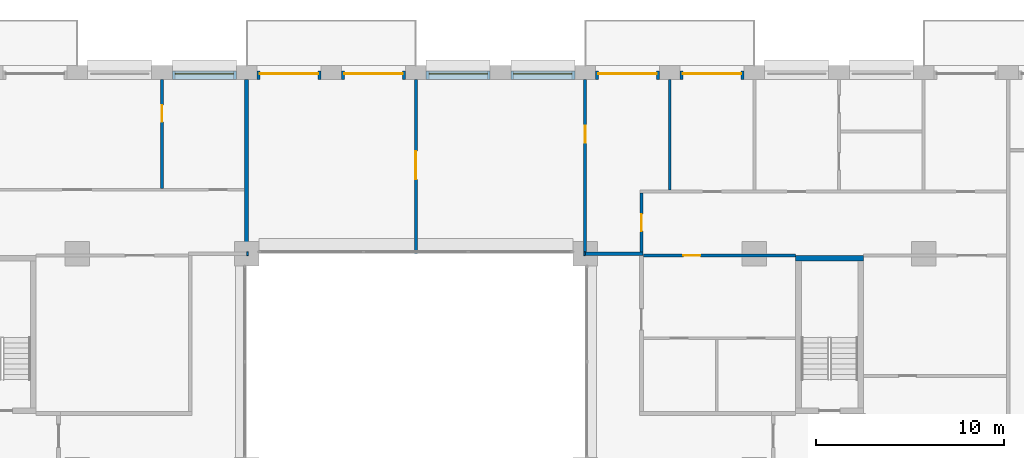
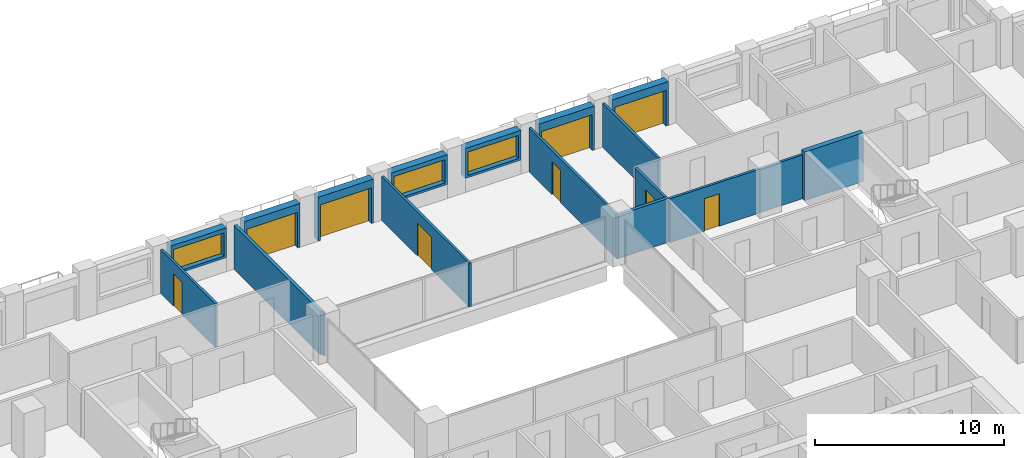
# One storey, part 13 of 16: 18 walls, 9 doors, 3 windows, 12 openings.
"""IFC4 building model written with IfcOpenShell, lengths in metres."""

from ifc_helpers import new_model, si_unit, direction, frame, frame_2d, origin, place, context, subcontext, project, spatial, rectangle, extrude, material, layer, layer_set, type_object, element, fill, save


model = new_model("IFC4")

# Units and contexts
model_context = context("Model", 3, precision=1e-05, world=origin(), true_north=direction((0.0, 1.0)))
body_context = subcontext(model_context, "Body", "Model", "MODEL_VIEW")
ifc_project = project(units=[si_unit("LENGTHUNIT", "METRE"), si_unit("AREAUNIT", "SQUARE_METRE"), si_unit("VOLUMEUNIT", "CUBIC_METRE"), si_unit("PLANEANGLEUNIT", "RADIAN"), si_unit("MASSUNIT", "GRAM", prefix="KILO")], contexts=[model_context])

# Site, building, storey
site_placement = place(None, origin())
site = spatial("IfcSite", under=ifc_project, at=site_placement, CompositionType="ELEMENT")
building_placement = place(site_placement, origin())
building = spatial("IfcBuilding", under=site, at=building_placement, Name="Brigalow Station Residences", CompositionType="ELEMENT")
storey_placement = place(building_placement, frame((0.0, 0.0, 105.60009765625)))
storey = spatial("IfcBuildingStorey", under=building, at=storey_placement, Name="L30", CompositionType="ELEMENT", Elevation=105.60009765625)

# Wall, opening, door
ifc_material_1 = material(Name="Clay brick masonry", Category="masonry")
ifc_layer_1 = layer(ifc_material_1, 0.449951171875)
ifc_layer_set_1 = layer_set([ifc_layer_1], Name="BRICK INFILL WALL 450")
wall_type_1 = type_object("IfcWallType", Name="BRICK INFILL WALL 450", PredefinedType="SOLIDWALL", material=ifc_layer_set_1)
wall_1_placement = place(storey_placement, frame((53.449951171875, 44.97509765625, 0.0), z_axis=(0.0, 0.0, 1.0), x_axis=(-1.0, 0.0, 0.0)))
wall_1 = element("IfcWall", 1, at=wall_1_placement, inside=storey, type_object=wall_type_1, Name="L30/ewall/W-L30-27", PredefinedType="SOLIDWALL", context=body_context, shape_type="SweptSolid", body=[
    extrude(rectangle(XDim=3.39990234375, YDim=0.449951171875, at=frame_2d((1.699951171875, 0.0))), origin(), (0.0, 0.0, 1.0), 2.829833984375),
])
opening_1_placement = place(wall_1_placement, frame((0.14990234375, 0.0, 0.0)))
opening_1 = element("IfcOpeningElement", 2, at=opening_1_placement, cuts=wall_1, Name="Opening D-B3100", PredefinedType="OPENING", context=body_context, shape_type="SweptSolid", body=[
    extrude(rectangle(XDim=3.10009765625, YDim=2.300048828125, at=frame_2d((1.550048828125, 1.14990234375))), frame((0.0, 0.23486328125, 0.0), z_axis=(0.0, -1.0, 0.0), x_axis=(1.0, 0.0, 0.0)), (0.0, 0.0, 1.0), 0.469970703125),
])
ifc_material_2 = material(Name="Anodised aluminium frame with double glazing", Category="aluminium")
door_type_1 = type_object("IfcDoorType", Name="BALCONY SLIDING DOOR 3100x2300", OperationType="SLIDING_TO_LEFT", PredefinedType="DOOR", material=ifc_material_2)
door_1_placement = place(opening_1_placement, origin())
door_1 = element("IfcDoor", 3, at=door_1_placement, inside=storey, type_object=door_type_1, Name="L30/balcony-door/W-L30-27", OperationType="SLIDING_TO_LEFT", OverallHeight=2.300048828125, OverallWidth=3.10009765625, PredefinedType="DOOR", context=body_context, shape_type="SweptSolid", body=[
    extrude(rectangle(XDim=3.10009765625, YDim=2.300048828125, at=frame_2d((1.550048828125, 1.14990234375))), frame((0.0, -0.06982421875, 0.0), z_axis=(0.0, -1.0, 0.0), x_axis=(1.0, 0.0, 0.0)), (0.0, 0.0, 1.0), 0.050048828125),
])
fill(opening_1, door_1)

wall_2_placement = place(storey_placement, frame((48.949951171875, 44.97509765625, 0.0), z_axis=(0.0, 0.0, 1.0), x_axis=(-1.0, 0.0, 0.0)))
wall_2 = element("IfcWall", 4, at=wall_2_placement, inside=storey, type_object=wall_type_1, Name="L30/ewall/W-L30-28", PredefinedType="SOLIDWALL", context=body_context, shape_type="SweptSolid", body=[
    extrude(rectangle(XDim=3.39990234375, YDim=0.449951171875, at=frame_2d((1.699951171875, 0.0))), origin(), (0.0, 0.0, 1.0), 2.829833984375),
])
opening_2_placement = place(wall_2_placement, frame((0.14990234375, 0.0, 0.0)))
opening_2 = element("IfcOpeningElement", 5, at=opening_2_placement, cuts=wall_2, Name="Opening D-B3100", PredefinedType="OPENING", context=body_context, shape_type="SweptSolid", body=[
    extrude(rectangle(XDim=3.10009765625, YDim=2.300048828125, at=frame_2d((1.550048828125, 1.14990234375))), frame((0.0, 0.23486328125, 0.0), z_axis=(0.0, -1.0, 0.0), x_axis=(1.0, 0.0, 0.0)), (0.0, 0.0, 1.0), 0.469970703125),
])
door_2_placement = place(opening_2_placement, origin())
door_2 = element("IfcDoor", 6, at=door_2_placement, inside=storey, type_object=door_type_1, Name="L30/balcony-door/W-L30-28", OperationType="SLIDING_TO_LEFT", OverallHeight=2.300048828125, OverallWidth=3.10009765625, PredefinedType="DOOR", context=body_context, shape_type="SweptSolid", body=[
    extrude(rectangle(XDim=3.10009765625, YDim=2.300048828125, at=frame_2d((1.550048828125, 1.14990234375))), frame((0.0, -0.06982421875, 0.0), z_axis=(0.0, -1.0, 0.0), x_axis=(1.0, 0.0, 0.0)), (0.0, 0.0, 1.0), 0.050048828125),
])
fill(opening_2, door_2)

# Wall, opening, window
wall_3_placement = place(storey_placement, frame((44.449951171875, 44.97509765625, 0.89990234375), z_axis=(0.0, 0.0, 1.0), x_axis=(-1.0, 0.0, 0.0)))
wall_3 = element("IfcWall", 7, at=wall_3_placement, inside=storey, type_object=wall_type_1, Name="L30/ewall/W-L30-29", PredefinedType="SOLIDWALL", context=body_context, shape_type="SweptSolid", body=[
    extrude(rectangle(XDim=3.39990234375, YDim=0.449951171875, at=frame_2d((1.699951171875, 0.0))), origin(), (0.0, 0.0, 1.0), 1.929931640625),
])
opening_3_placement = place(wall_3_placement, frame((0.14990234375, 0.0, 0.14990234375)))
opening_3 = element("IfcOpeningElement", 8, at=opening_3_placement, cuts=wall_3, Name="Opening WT-8", PredefinedType="OPENING", context=body_context, shape_type="SweptSolid", body=[
    extrude(rectangle(XDim=3.10009765625, YDim=1.5, at=frame_2d((1.550048828125, 0.75))), frame((0.0, 0.23486328125, 0.0), z_axis=(0.0, -1.0, 0.0), x_axis=(1.0, 0.0, 0.0)), (0.0, 0.0, 1.0), 0.469970703125),
])
ifc_material_3 = material(Name="Anodised aluminium frame with double glazing", Category="aluminium")
window_type = type_object("IfcWindowType", Name="WINDOW 3100x1500", PartitioningType="SINGLE_PANEL", PredefinedType="WINDOW", material=ifc_material_3)
window_1_placement = place(opening_3_placement, origin())
window_1 = element("IfcWindow", 9, at=window_1_placement, inside=storey, type_object=window_type, Name="L30/window/W-L30-29", OverallHeight=1.5, OverallWidth=3.10009765625, PartitioningType="SINGLE_PANEL", PredefinedType="WINDOW", context=body_context, shape_type="SweptSolid", body=[
    extrude(rectangle(XDim=3.10009765625, YDim=1.5, at=frame_2d((1.550048828125, 0.75))), frame((0.0, -0.06494140625, 0.0), z_axis=(0.0, -1.0, 0.0), x_axis=(1.0, 0.0, 0.0)), (0.0, 0.0, 1.0), 0.06005859375),
])
fill(opening_3, window_1)

wall_4_placement = place(storey_placement, frame((39.949951171875, 44.97509765625, 0.89990234375), z_axis=(0.0, 0.0, 1.0), x_axis=(-1.0, 0.0, 0.0)))
wall_4 = element("IfcWall", 10, at=wall_4_placement, inside=storey, type_object=wall_type_1, Name="L30/ewall/W-L30-30", PredefinedType="SOLIDWALL", context=body_context, shape_type="SweptSolid", body=[
    extrude(rectangle(XDim=3.39990234375, YDim=0.449951171875, at=frame_2d((1.699951171875, 0.0))), origin(), (0.0, 0.0, 1.0), 1.929931640625),
])
opening_4_placement = place(wall_4_placement, frame((0.14990234375, 0.0, 0.14990234375)))
opening_4 = element("IfcOpeningElement", 11, at=opening_4_placement, cuts=wall_4, Name="Opening WT-8", PredefinedType="OPENING", context=body_context, shape_type="SweptSolid", body=[
    extrude(rectangle(XDim=3.10009765625, YDim=1.5, at=frame_2d((1.550048828125, 0.75))), frame((0.0, 0.23486328125, 0.0), z_axis=(0.0, -1.0, 0.0), x_axis=(1.0, 0.0, 0.0)), (0.0, 0.0, 1.0), 0.469970703125),
])
window_2_placement = place(opening_4_placement, origin())
window_2 = element("IfcWindow", 12, at=window_2_placement, inside=storey, type_object=window_type, Name="L30/window/W-L30-30", OverallHeight=1.5, OverallWidth=3.10009765625, PartitioningType="SINGLE_PANEL", PredefinedType="WINDOW", context=body_context, shape_type="SweptSolid", body=[
    extrude(rectangle(XDim=3.10009765625, YDim=1.5, at=frame_2d((1.550048828125, 0.75))), frame((0.0, -0.06494140625, 0.0), z_axis=(0.0, -1.0, 0.0), x_axis=(1.0, 0.0, 0.0)), (0.0, 0.0, 1.0), 0.06005859375),
])
fill(opening_4, window_2)

# Wall, opening, door
wall_5_placement = place(storey_placement, frame((35.449951171875, 44.97509765625, 0.0), z_axis=(0.0, 0.0, 1.0), x_axis=(-1.0, 0.0, 0.0)))
wall_5 = element("IfcWall", 13, at=wall_5_placement, inside=storey, type_object=wall_type_1, Name="L30/ewall/W-L30-31", PredefinedType="SOLIDWALL", context=body_context, shape_type="SweptSolid", body=[
    extrude(rectangle(XDim=3.39990234375, YDim=0.449951171875, at=frame_2d((1.699951171875, 0.0))), origin(), (0.0, 0.0, 1.0), 2.829833984375),
])
opening_5_placement = place(wall_5_placement, frame((0.14990234375, 0.0, 0.0)))
opening_5 = element("IfcOpeningElement", 14, at=opening_5_placement, cuts=wall_5, Name="Opening D-B3100", PredefinedType="OPENING", context=body_context, shape_type="SweptSolid", body=[
    extrude(rectangle(XDim=3.10009765625, YDim=2.300048828125, at=frame_2d((1.550048828125, 1.14990234375))), frame((0.0, 0.23486328125, 0.0), z_axis=(0.0, -1.0, 0.0), x_axis=(1.0, 0.0, 0.0)), (0.0, 0.0, 1.0), 0.469970703125),
])
door_3_placement = place(opening_5_placement, origin())
door_3 = element("IfcDoor", 15, at=door_3_placement, inside=storey, type_object=door_type_1, Name="L30/balcony-door/W-L30-31", OperationType="SLIDING_TO_LEFT", OverallHeight=2.300048828125, OverallWidth=3.10009765625, PredefinedType="DOOR", context=body_context, shape_type="SweptSolid", body=[
    extrude(rectangle(XDim=3.10009765625, YDim=2.300048828125, at=frame_2d((1.550048828125, 1.14990234375))), frame((0.0, -0.06982421875, 0.0), z_axis=(0.0, -1.0, 0.0), x_axis=(1.0, 0.0, 0.0)), (0.0, 0.0, 1.0), 0.050048828125),
])
fill(opening_5, door_3)

wall_6_placement = place(storey_placement, frame((30.949951171875, 44.97509765625, 0.0), z_axis=(0.0, 0.0, 1.0), x_axis=(-1.0, 0.0, 0.0)))
wall_6 = element("IfcWall", 16, at=wall_6_placement, inside=storey, type_object=wall_type_1, Name="L30/ewall/W-L30-32", PredefinedType="SOLIDWALL", context=body_context, shape_type="SweptSolid", body=[
    extrude(rectangle(XDim=3.39990234375, YDim=0.449951171875, at=frame_2d((1.699951171875, 0.0))), origin(), (0.0, 0.0, 1.0), 2.829833984375),
])
opening_6_placement = place(wall_6_placement, frame((0.14990234375, 0.0, 0.0)))
opening_6 = element("IfcOpeningElement", 17, at=opening_6_placement, cuts=wall_6, Name="Opening D-B3100", PredefinedType="OPENING", context=body_context, shape_type="SweptSolid", body=[
    extrude(rectangle(XDim=3.10009765625, YDim=2.300048828125, at=frame_2d((1.550048828125, 1.14990234375))), frame((0.0, 0.23486328125, 0.0), z_axis=(0.0, -1.0, 0.0), x_axis=(1.0, 0.0, 0.0)), (0.0, 0.0, 1.0), 0.469970703125),
])
door_4_placement = place(opening_6_placement, origin())
door_4 = element("IfcDoor", 18, at=door_4_placement, inside=storey, type_object=door_type_1, Name="L30/balcony-door/W-L30-32", OperationType="SLIDING_TO_LEFT", OverallHeight=2.300048828125, OverallWidth=3.10009765625, PredefinedType="DOOR", context=body_context, shape_type="SweptSolid", body=[
    extrude(rectangle(XDim=3.10009765625, YDim=2.300048828125, at=frame_2d((1.550048828125, 1.14990234375))), frame((0.0, -0.06982421875, 0.0), z_axis=(0.0, -1.0, 0.0), x_axis=(1.0, 0.0, 0.0)), (0.0, 0.0, 1.0), 0.050048828125),
])
fill(opening_6, door_4)

# Wall, opening, window
wall_7_placement = place(storey_placement, frame((26.449951171875, 44.97509765625, 0.89990234375), z_axis=(0.0, 0.0, 1.0), x_axis=(-1.0, 0.0, 0.0)))
wall_7 = element("IfcWall", 19, at=wall_7_placement, inside=storey, type_object=wall_type_1, Name="L30/ewall/W-L30-33", PredefinedType="SOLIDWALL", context=body_context, shape_type="SweptSolid", body=[
    extrude(rectangle(XDim=3.39990234375, YDim=0.449951171875, at=frame_2d((1.699951171875, 0.0))), origin(), (0.0, 0.0, 1.0), 1.929931640625),
])
opening_7_placement = place(wall_7_placement, frame((0.14990234375, 0.0, 0.14990234375)))
opening_7 = element("IfcOpeningElement", 20, at=opening_7_placement, cuts=wall_7, Name="Opening WT-8", PredefinedType="OPENING", context=body_context, shape_type="SweptSolid", body=[
    extrude(rectangle(XDim=3.10009765625, YDim=1.5, at=frame_2d((1.550048828125, 0.75))), frame((0.0, 0.23486328125, 0.0), z_axis=(0.0, -1.0, 0.0), x_axis=(1.0, 0.0, 0.0)), (0.0, 0.0, 1.0), 0.469970703125),
])
window_3_placement = place(opening_7_placement, origin())
window_3 = element("IfcWindow", 21, at=window_3_placement, inside=storey, type_object=window_type, Name="L30/window/W-L30-33", OverallHeight=1.5, OverallWidth=3.10009765625, PartitioningType="SINGLE_PANEL", PredefinedType="WINDOW", context=body_context, shape_type="SweptSolid", body=[
    extrude(rectangle(XDim=3.10009765625, YDim=1.5, at=frame_2d((1.550048828125, 0.75))), frame((0.0, -0.06494140625, 0.0), z_axis=(0.0, -1.0, 0.0), x_axis=(1.0, 0.0, 0.0)), (0.0, 0.0, 1.0), 0.06005859375),
])
fill(opening_7, window_3)

# Wall
ifc_material_4 = material(Name="Concrete C65", Category="concrete")
ifc_layer_2 = layer(ifc_material_4, 0.300048828125)
ifc_layer_set_2 = layer_set([ifc_layer_2], Name="CORE SHEAR WALL 300 C65")
wall_type_2 = type_object("IfcWallType", Name="CORE SHEAR WALL 300 C65", PredefinedType="SHEAR", material=ifc_layer_set_2)
wall_8_placement = place(storey_placement, frame((56.199951171875, 35.25, 0.0), z_axis=(0.0, 0.0, 1.0), x_axis=(1.0, 0.0, 0.0)))
element("IfcWall", 22, at=wall_8_placement, inside=storey, type_object=wall_type_2, Name="CORE WALL ST-S3-N L30", PredefinedType="SHEAR", context=body_context, shape_type="SweptSolid", body=[
    extrude(rectangle(XDim=3.60009765625, YDim=0.300048828125, at=frame_2d((1.800048828125, 0.0))), origin(), (0.0, 0.0, 1.0), 3.14990234375),
])

# Wall, opening, door
ifc_material_5 = material(Name="Plasterboard on steel stud partition", Category="steel")
ifc_layer_3 = layer(ifc_material_5, 0.14990234375)
ifc_layer_set_3 = layer_set([ifc_layer_3], Name="FLAT PARTITION 150")
wall_type_3 = type_object("IfcWallType", Name="FLAT PARTITION 150", PredefinedType="PARTITIONING", material=ifc_layer_set_3)
wall_9_placement = place(storey_placement, frame((48.10009765625, 35.39990234375, 0.0), z_axis=(0.0, 0.0, 1.0), x_axis=(1.0, 0.0, 0.0)))
wall_9 = element("IfcWall", 23, at=wall_9_placement, inside=storey, type_object=wall_type_3, Name="PW-2C26", PredefinedType="PARTITIONING", context=body_context, shape_type="SweptSolid", body=[
    extrude(rectangle(XDim=8.099853515625, YDim=0.14990234375, at=frame_2d((4.0498046875, 0.0))), origin(), (0.0, 0.0, 1.0), 2.829833984375),
])
opening_8_placement = place(wall_9_placement, frame((2.125, 0.0, 0.0)))
opening_8 = element("IfcOpeningElement", 24, at=opening_8_placement, cuts=wall_9, Name="Opening D-2C20", PredefinedType="OPENING", context=body_context, shape_type="SweptSolid", body=[
    extrude(rectangle(XDim=0.89990234375, YDim=2.10009765625, at=frame_2d((0.449951171875, 1.050048828125))), frame((0.0, 0.0849609375, 0.0), z_axis=(0.0, -1.0, 0.0), x_axis=(1.0, 0.0, 0.0)), (0.0, 0.0, 1.0), 0.169921875),
])
ifc_material_6 = material(Name="Solid-core timber door leaf", Category="wood")
door_type_2 = type_object("IfcDoorType", Name="INTERNAL DOOR 900 x 2100", OperationType="SINGLE_SWING_LEFT", PredefinedType="DOOR", material=ifc_material_6)
door_5_placement = place(opening_8_placement, frame((0.89990234375, 0.0, 0.0), z_axis=(0.0, 0.0, 1.0), x_axis=(-1.0, 0.0, 0.0)))
door_5 = element("IfcDoor", 25, at=door_5_placement, inside=storey, type_object=door_type_2, Name="D-2C20", OperationType="SINGLE_SWING_RIGHT", OverallHeight=2.10009765625, OverallWidth=0.89990234375, PredefinedType="DOOR", context=body_context, shape_type="SweptSolid", body=[
    extrude(rectangle(XDim=0.89990234375, YDim=2.10009765625, at=frame_2d((0.449951171875, 1.050048828125))), frame((0.0, 0.02490234375, 0.0), z_axis=(0.0, -1.0, 0.0), x_axis=(1.0, 0.0, 0.0)), (0.0, 0.0, 1.0), 0.050048828125),
])
fill(opening_8, door_5)

wall_10_placement = place(storey_placement, frame((48.0, 35.60009765625, 0.0), z_axis=(0.0, 0.0, 1.0), x_axis=(0.0, 1.0, 0.0)))
wall_10 = element("IfcWall", 26, at=wall_10_placement, inside=storey, type_object=wall_type_3, Name="PW-2C42", PredefinedType="PARTITIONING", context=body_context, shape_type="SweptSolid", body=[
    extrude(rectangle(XDim=3.125, YDim=0.14990234375, at=frame_2d((1.5625, 0.0))), origin(), (0.0, 0.0, 1.0), 2.829833984375),
])
opening_9_placement = place(wall_10_placement, frame((1.10009765625, 0.0, 0.0)))
opening_9 = element("IfcOpeningElement", 27, at=opening_9_placement, cuts=wall_10, Name="Opening D-2C21", PredefinedType="OPENING", context=body_context, shape_type="SweptSolid", body=[
    extrude(rectangle(XDim=0.89990234375, YDim=2.10009765625, at=frame_2d((0.449951171875, 1.050048828125))), frame((0.0, 0.0849609375, 0.0), z_axis=(0.0, -1.0, 0.0), x_axis=(1.0, 0.0, 0.0)), (0.0, 0.0, 1.0), 0.169921875),
])
door_6_placement = place(opening_9_placement, origin())
door_6 = element("IfcDoor", 28, at=door_6_placement, inside=storey, type_object=door_type_2, Name="D-2C21", OperationType="SINGLE_SWING_LEFT", OverallHeight=2.10009765625, OverallWidth=0.89990234375, PredefinedType="DOOR", context=body_context, shape_type="SweptSolid", body=[
    extrude(rectangle(XDim=0.89990234375, YDim=2.10009765625, at=frame_2d((0.449951171875, 1.050048828125))), frame((0.0, 0.02490234375, 0.0), z_axis=(0.0, -1.0, 0.0), x_axis=(1.0, 0.0, 0.0)), (0.0, 0.0, 1.0), 0.050048828125),
])
fill(opening_9, door_6)

wall_11_placement = place(storey_placement, frame((22.5, 38.97509765625, 0.0), z_axis=(0.0, 0.0, 1.0), x_axis=(0.0, 1.0, 0.0)))
wall_11 = element("IfcWall", 29, at=wall_11_placement, inside=storey, type_object=wall_type_3, Name="PW-2C51", PredefinedType="PARTITIONING", context=body_context, shape_type="SweptSolid", body=[
    extrude(rectangle(XDim=5.77490234375, YDim=0.14990234375, at=frame_2d((2.887451171875, 0.0))), origin(), (0.0, 0.0, 1.0), 2.829833984375),
])
opening_10_placement = place(wall_11_placement, frame((3.52490234375, 0.0, 0.0)))
opening_10 = element("IfcOpeningElement", 30, at=opening_10_placement, cuts=wall_11, Name="Opening D-2C14", PredefinedType="OPENING", context=body_context, shape_type="SweptSolid", body=[
    extrude(rectangle(XDim=0.89990234375, YDim=2.10009765625, at=frame_2d((0.449951171875, 1.050048828125))), frame((0.0, 0.0849609375, 0.0), z_axis=(0.0, -1.0, 0.0), x_axis=(1.0, 0.0, 0.0)), (0.0, 0.0, 1.0), 0.169921875),
])
door_7_placement = place(opening_10_placement, frame((0.89990234375, 0.0, 0.0), z_axis=(0.0, 0.0, 1.0), x_axis=(-1.0, 0.0, 0.0)))
door_7 = element("IfcDoor", 31, at=door_7_placement, inside=storey, type_object=door_type_2, Name="D-2C14", OperationType="SINGLE_SWING_LEFT", OverallHeight=2.10009765625, OverallWidth=0.89990234375, PredefinedType="DOOR", context=body_context, shape_type="SweptSolid", body=[
    extrude(rectangle(XDim=0.89990234375, YDim=2.10009765625, at=frame_2d((0.449951171875, 1.050048828125))), frame((0.0, 0.02490234375, 0.0), z_axis=(0.0, -1.0, 0.0), x_axis=(1.0, 0.0, 0.0)), (0.0, 0.0, 1.0), 0.050048828125),
])
fill(opening_10, door_7)

wall_12_placement = place(storey_placement, frame((36.0, 35.5, 0.0), z_axis=(0.0, 0.0, 1.0), x_axis=(0.0, 1.0, 0.0)))
wall_12 = element("IfcWall", 32, at=wall_12_placement, inside=storey, type_object=wall_type_3, Name="PW-2C52", PredefinedType="PARTITIONING", context=body_context, shape_type="SweptSolid", body=[
    extrude(rectangle(XDim=9.25, YDim=0.14990234375, at=frame_2d((4.625, 0.0))), origin(), (0.0, 0.0, 1.0), 2.829833984375),
])
opening_11_placement = place(wall_12_placement, frame((3.949951171875, 0.0, 0.0)))
opening_11 = element("IfcOpeningElement", 33, at=opening_11_placement, cuts=wall_12, Name="Opening D-2C23", PredefinedType="OPENING", context=body_context, shape_type="SweptSolid", body=[
    extrude(rectangle(XDim=1.5, YDim=2.10009765625, at=frame_2d((0.75, 1.050048828125))), frame((0.0, 0.0849609375, 0.0), z_axis=(0.0, -1.0, 0.0), x_axis=(1.0, 0.0, 0.0)), (0.0, 0.0, 1.0), 0.169921875),
])
ifc_material_7 = material(Name="Solid-core timber door leaf", Category="wood")
door_type_3 = type_object("IfcDoorType", Name="INTERNAL DOUBLE DOOR 1500 x 2100", OperationType="DOUBLE_DOOR_SINGLE_SWING", PredefinedType="DOOR", material=ifc_material_7)
door_8_placement = place(opening_11_placement, frame((1.5, 0.0, 0.0), z_axis=(0.0, 0.0, 1.0), x_axis=(-1.0, 0.0, 0.0)))
door_8 = element("IfcDoor", 34, at=door_8_placement, inside=storey, type_object=door_type_3, Name="D-2C23", OperationType="DOUBLE_DOOR_SINGLE_SWING", OverallHeight=2.10009765625, OverallWidth=1.5, PredefinedType="DOOR", context=body_context, shape_type="SweptSolid", body=[
    extrude(rectangle(XDim=1.5, YDim=2.10009765625, at=frame_2d((0.75, 1.050048828125))), frame((0.0, 0.02490234375, 0.0), z_axis=(0.0, -1.0, 0.0), x_axis=(1.0, 0.0, 0.0)), (0.0, 0.0, 1.0), 0.050048828125),
])
fill(opening_11, door_8)

wall_13_placement = place(storey_placement, frame((45.0, 35.60009765625, 0.0), z_axis=(0.0, 0.0, 1.0), x_axis=(0.0, 1.0, 0.0)))
wall_13 = element("IfcWall", 35, at=wall_13_placement, inside=storey, type_object=wall_type_3, Name="PW-2C53", PredefinedType="PARTITIONING", context=body_context, shape_type="SweptSolid", body=[
    extrude(rectangle(XDim=9.14990234375, YDim=0.14990234375, at=frame_2d((4.574951171875, 0.0))), origin(), (0.0, 0.0, 1.0), 2.829833984375),
])
opening_12_placement = place(wall_13_placement, frame((5.800048828125, 0.0, 0.0)))
opening_12 = element("IfcOpeningElement", 36, at=opening_12_placement, cuts=wall_13, Name="Opening D-2C22", PredefinedType="OPENING", context=body_context, shape_type="SweptSolid", body=[
    extrude(rectangle(XDim=0.89990234375, YDim=2.10009765625, at=frame_2d((0.449951171875, 1.050048828125))), frame((0.0, 0.0849609375, 0.0), z_axis=(0.0, -1.0, 0.0), x_axis=(1.0, 0.0, 0.0)), (0.0, 0.0, 1.0), 0.169921875),
])
door_9_placement = place(opening_12_placement, frame((0.89990234375, 0.0, 0.0), z_axis=(0.0, 0.0, 1.0), x_axis=(-1.0, 0.0, 0.0)))
door_9 = element("IfcDoor", 37, at=door_9_placement, inside=storey, type_object=door_type_2, Name="D-2C22", OperationType="SINGLE_SWING_LEFT", OverallHeight=2.10009765625, OverallWidth=0.89990234375, PredefinedType="DOOR", context=body_context, shape_type="SweptSolid", body=[
    extrude(rectangle(XDim=0.89990234375, YDim=2.10009765625, at=frame_2d((0.449951171875, 1.050048828125))), frame((0.0, 0.02490234375, 0.0), z_axis=(0.0, -1.0, 0.0), x_axis=(1.0, 0.0, 0.0)), (0.0, 0.0, 1.0), 0.050048828125),
])
fill(opening_12, door_9)

# Walls
wall_14_placement = place(storey_placement, frame((49.5, 38.875, 0.0), z_axis=(0.0, 0.0, 1.0), x_axis=(0.0, 1.0, 0.0)))
element("IfcWall", 38, at=wall_14_placement, inside=storey, type_object=wall_type_3, Name="PW-2C54", PredefinedType="PARTITIONING", context=body_context, shape_type="SweptSolid", body=[
    extrude(rectangle(XDim=5.875, YDim=0.14990234375, at=frame_2d((2.9375, 0.0))), origin(), (0.0, 0.0, 1.0), 2.829833984375),
])
ifc_material_8 = material(Name="Plasterboard on steel stud partition", Category="steel")
ifc_layer_4 = layer(ifc_material_8, 0.199951171875)
ifc_layer_set_4 = layer_set([ifc_layer_4], Name="PARTY AND CORRIDOR WALL 200")
wall_type_4 = type_object("IfcWallType", Name="PARTY AND CORRIDOR WALL 200", PredefinedType="PARTITIONING", material=ifc_layer_set_4)
wall_15_placement = place(storey_placement, frame((27.0, 35.5, 0.0), z_axis=(0.0, 0.0, 1.0), x_axis=(1.0, 0.0, 0.0)))
element("IfcWall", 39, at=wall_15_placement, inside=storey, type_object=wall_type_4, Name="PW-2C08", PredefinedType="PARTITIONING", context=body_context, shape_type="SweptSolid", body=[
    extrude(rectangle(XDim=0.10009765625, YDim=0.199951171875, at=frame_2d((0.050048828125, 0.0))), origin(), (0.0, 0.0, 1.0), 2.829833984375),
])
wall_16_placement = place(storey_placement, frame((44.925048828125, 35.5, 0.0), z_axis=(0.0, 0.0, 1.0), x_axis=(1.0, 0.0, 0.0)))
element("IfcWall", 40, at=wall_16_placement, inside=storey, type_object=wall_type_4, Name="PW-2C09", PredefinedType="PARTITIONING", context=body_context, shape_type="SweptSolid", body=[
    extrude(rectangle(XDim=0.074951171875, YDim=0.199951171875, at=frame_2d((0.03759765625, 0.0))), origin(), (0.0, 0.0, 1.0), 2.829833984375),
])
wall_17_placement = place(storey_placement, frame((45.0, 35.5, 0.0), z_axis=(0.0, 0.0, 1.0), x_axis=(1.0, 0.0, 0.0)))
element("IfcWall", 41, at=wall_17_placement, inside=storey, type_object=wall_type_4, Name="PW-2C10", PredefinedType="PARTITIONING", context=body_context, shape_type="SweptSolid", body=[
    extrude(rectangle(XDim=3.074951171875, YDim=0.199951171875, at=frame_2d((1.53759765625, 0.0))), origin(), (0.0, 0.0, 1.0), 2.829833984375),
])
wall_18_placement = place(storey_placement, frame((27.0, 35.60009765625, 0.0), z_axis=(0.0, 0.0, 1.0), x_axis=(0.0, 1.0, 0.0)))
element("IfcWall", 42, at=wall_18_placement, inside=storey, type_object=wall_type_4, Name="PW-2C50", PredefinedType="PARTITIONING", context=body_context, shape_type="SweptSolid", body=[
    extrude(rectangle(XDim=9.14990234375, YDim=0.199951171875, at=frame_2d((4.574951171875, 0.0))), origin(), (0.0, 0.0, 1.0), 2.829833984375),
])

save(model, "model.ifc")
